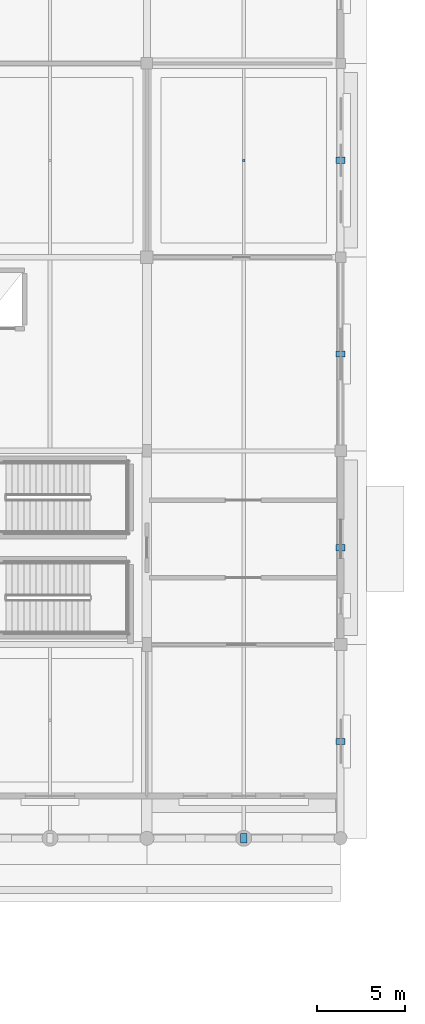
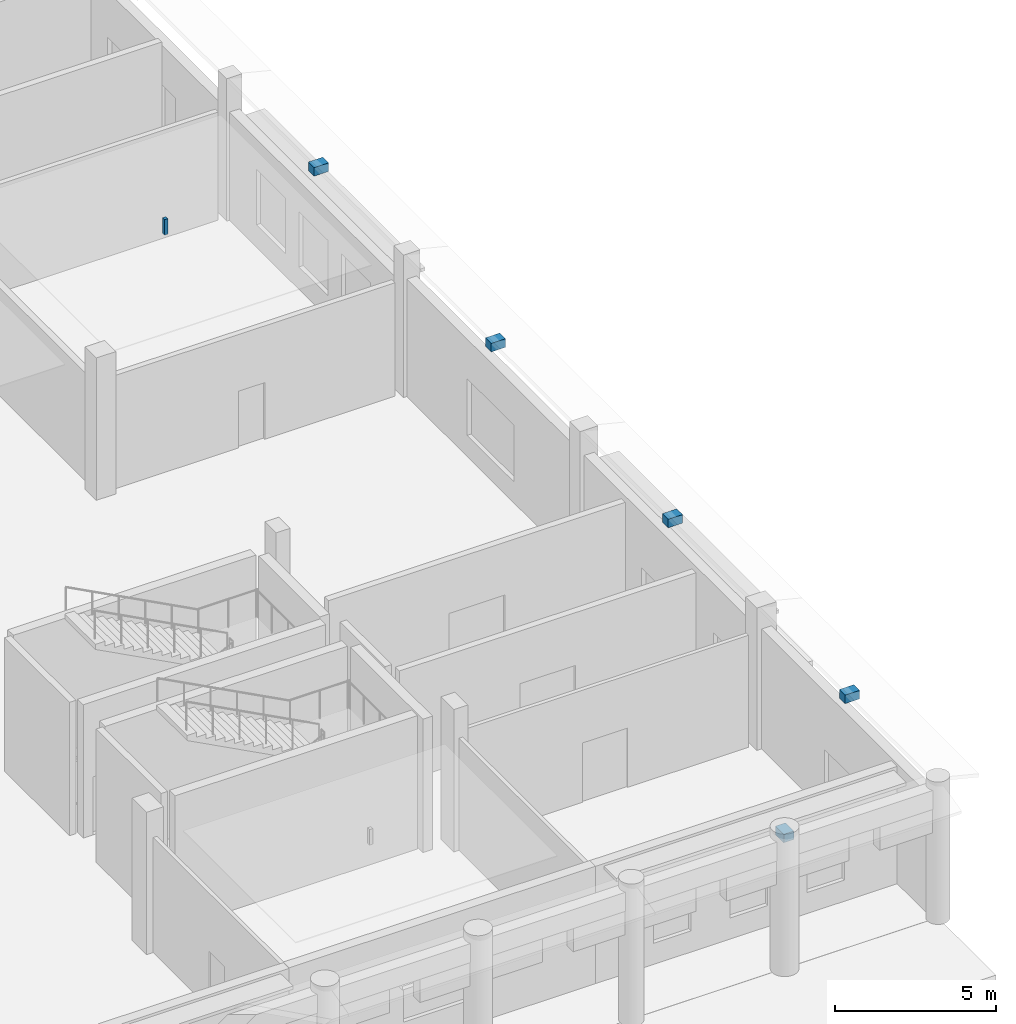
# One storey, part 86 of 120: 6 discrete accessories.
"""IFC4 building model written with IfcOpenShell, lengths in metres."""

from ifc_helpers import new_model, si_unit, direction, frame, origin, origin_2d, place, context, subcontext, project, spatial, rectangle, extrude, material, layer, layer_set, type_object, element, save


model = new_model("IFC4")

# Units and contexts
model_context = context("Model", 3, precision=1e-05, world=origin(), true_north=direction((0.0, 1.0)))
body_context = subcontext(model_context, "Body", "Model", "MODEL_VIEW")
ifc_project = project(units=[si_unit("LENGTHUNIT", "METRE"), si_unit("AREAUNIT", "SQUARE_METRE"), si_unit("VOLUMEUNIT", "CUBIC_METRE"), si_unit("PLANEANGLEUNIT", "RADIAN"), si_unit("MASSUNIT", "GRAM", prefix="KILO")], contexts=[model_context])

# Site, building, storey
site_placement = place(None, origin())
site = spatial("IfcSite", under=ifc_project, at=site_placement, CompositionType="ELEMENT")
building_placement = place(site_placement, origin())
building = spatial("IfcBuilding", under=site, at=building_placement, Name="Luwafu Chhajja Arena", CompositionType="ELEMENT")
storey_placement = place(building_placement, origin())
storey = spatial("IfcBuildingStorey", under=building, at=storey_placement, Name="L00", CompositionType="ELEMENT", Elevation=0.0)

# Discrete accessories
ifc_material = material(Name="Stainless steel bracket", Category="steel")
ifc_layer = layer(ifc_material, 0.179931640625, Name="Stainless steel bracket")
ifc_layer_set = layer_set([ifc_layer], Name="Stainless steel bracket")
discrete_accessory_type = type_object("IfcDiscreteAccessoryType", Name="Stainless Steel Facade Support Bracket", PredefinedType="BRACKET", material=ifc_layer_set)
for number, where, z_axis, x_axis, name in (
    (1, (192.5, 0.0, 4.97998046875), (0.0, 0.0, 1.0), (1.0, 0.0, 0.0), "L00 Chhajja Eave Support Bracket 0111"),
    (2, (198.0, 5.5, 4.97998046875), (0.0, 0.0, 1.0), (0.0, 1.0, 0.0), "L00 Chhajja Eave Support Bracket 0112"),
    (3, (198.0, 16.5, 4.97998046875), (0.0, 0.0, 1.0), (0.0, 1.0, 0.0), "L00 Chhajja Eave Support Bracket 0113"),
    (4, (198.0, 27.5, 4.97998046875), (0.0, 0.0, 1.0), (0.0, 1.0, 0.0), "L00 Chhajja Eave Support Bracket 0114"),
    (5, (198.0, 38.5, 4.97998046875), (0.0, 0.0, 1.0), (0.0, 1.0, 0.0), "L00 Chhajja Eave Support Bracket 0115"),
):
    element("IfcDiscreteAccessory", number, at=place(storey_placement, frame(where, z_axis=z_axis, x_axis=x_axis)), inside=storey, type_object=discrete_accessory_type, Name=name, PredefinedType="BRACKET", context=body_context, shape_type="SweptSolid", body=[
        extrude(rectangle(XDim=0.360107421875, YDim=0.52001953125, at=origin_2d()), origin(), (0.0, 0.0, 1.0), 0.320068359375),
    ])
discrete_accessory_placement = place(storey_placement, frame((192.5, 38.5, 4.519287109375), z_axis=(0.0, 0.0, 1.0), x_axis=(1.0, 0.0, 0.0)))
element("IfcDiscreteAccessory", 6, at=discrete_accessory_placement, inside=storey, type_object=discrete_accessory_type, Name="L00 Ceiling Suspension Hanger 023", PredefinedType="BRACKET", context=body_context, shape_type="SweptSolid", body=[
    extrude(rectangle(XDim=0.1201171875, YDim=0.1201171875, at=origin_2d()), origin(), (0.0, 0.0, 1.0), 0.5908203125),
])

save(model, "model.ifc")
